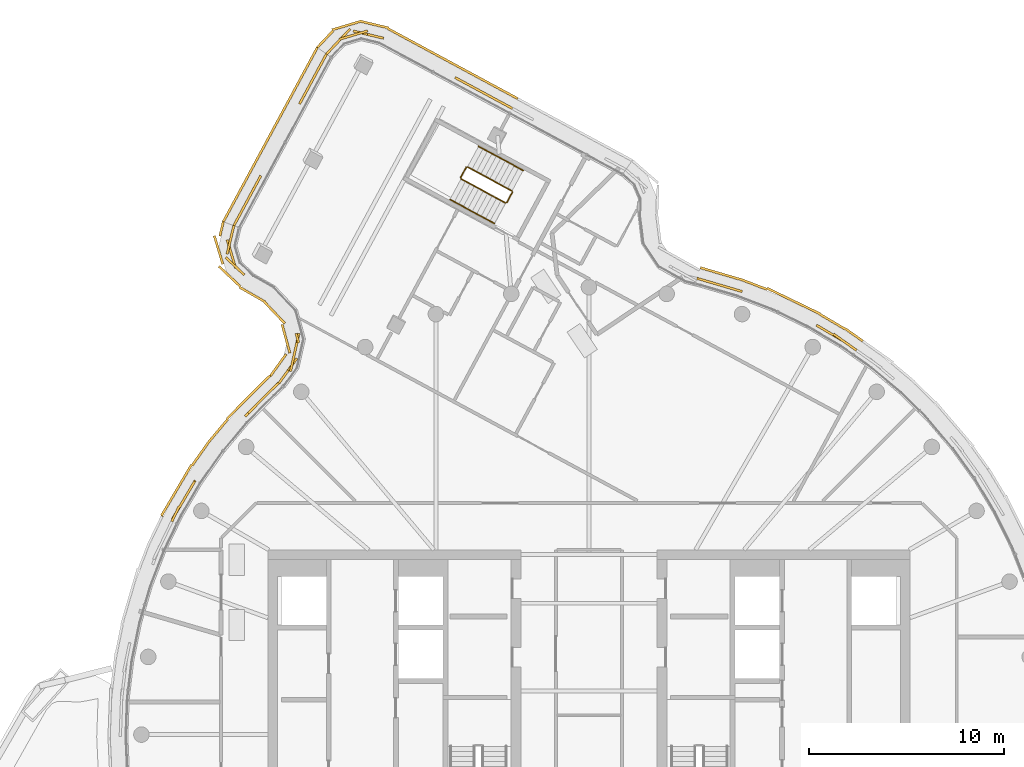
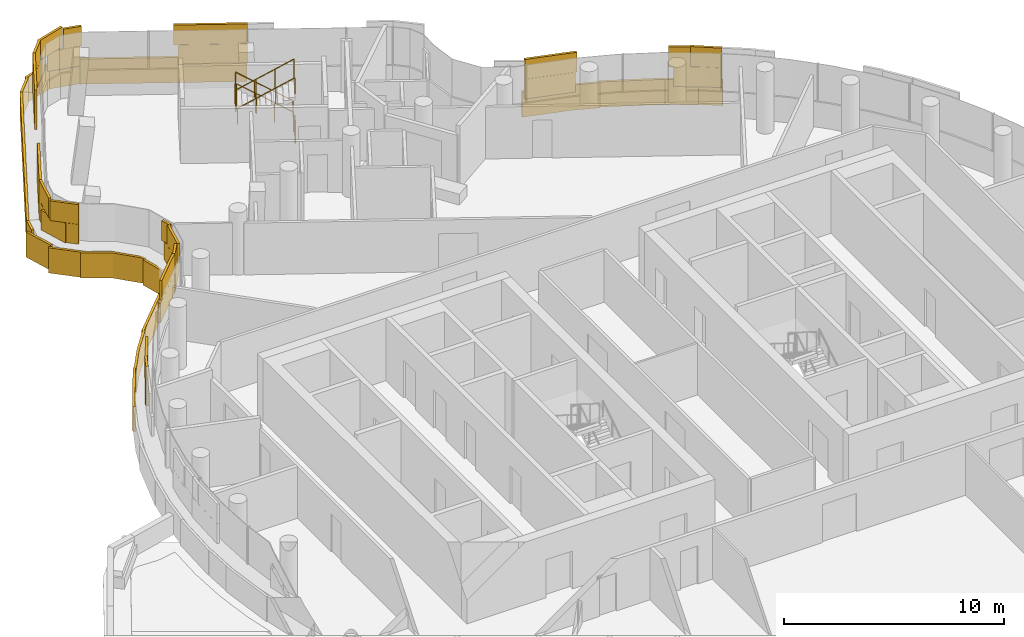
# One storey, part 20 of 22: 6 railings, 5 coverings.
"""IFC4 building model written with IfcOpenShell, lengths in metres."""

from ifc_helpers import new_model, si_unit, direction, frame, origin, origin_2d, place, context, subcontext, project, spatial, rectangle, circle, extrude, material, layer, layer_set, type_object, element, save


model = new_model("IFC4")

# Units and contexts
model_context = context("Model", 3, precision=1e-05, world=origin(), true_north=direction((0.0, 1.0)))
body_context = subcontext(model_context, "Body", "Model", "MODEL_VIEW")
ifc_project = project(units=[si_unit("LENGTHUNIT", "METRE"), si_unit("AREAUNIT", "SQUARE_METRE"), si_unit("VOLUMEUNIT", "CUBIC_METRE"), si_unit("PLANEANGLEUNIT", "RADIAN"), si_unit("MASSUNIT", "GRAM", prefix="KILO")], contexts=[model_context])

# Site, building, storey
site_placement = place(None, origin())
site = spatial("IfcSite", under=ifc_project, at=site_placement, CompositionType="ELEMENT")
building_placement = place(site_placement, origin())
building = spatial("IfcBuilding", under=site, at=building_placement, Name="Tamarind Cross Interchange Tower", CompositionType="ELEMENT")
storey_placement = place(building_placement, frame((0.0, 0.0, 256.800048828125)))
storey = spatial("IfcBuildingStorey", under=building, at=storey_placement, Name="L65", CompositionType="ELEMENT", Elevation=256.800048828125)

# Railings
ifc_material_1 = material(Name="Stair guard")
railing_type_1 = type_object("IfcRailingType", Name="Stair guard", PredefinedType="GUARDRAIL", material=ifc_material_1)
railing_1_placement = place(storey_placement, frame((-3.952880859375, 27.940185546875, 0.16357421875)))
element("IfcRailing", 1, at=railing_1_placement, inside=storey, type_object=railing_type_1, Name="L65 ST4 stair guard 1", PredefinedType="GUARDRAIL", context=body_context, shape_type="SweptSolid", body=[
    extrude(circle(Radius=0.02392578125, at=origin_2d()), frame((0.0, 0.0, 1.076171875), z_axis=(-0.744752850933, 0.402017143926, 0.532658809198), x_axis=(-0.475012240029, -0.879979188289, 0.0)), (0.0, 0.0, 1.0), 3.072265625),
    extrude(circle(Radius=0.02099609375, at=origin_2d()), origin(), (0.0, 0.0, 1.0), 1.052001953125),
    extrude(circle(Radius=0.02099609375, at=origin_2d()), frame((-0.7626953125, 0.41162109375, 0.54541015625)), (0.0, 0.0, 1.0), 1.052001953125),
    extrude(circle(Radius=0.02099609375, at=origin_2d()), frame((-1.525390625, 0.823486328125, 1.091064453125)), (0.0, 0.0, 1.0), 1.052001953125),
    extrude(circle(Radius=0.02099609375, at=origin_2d()), frame((-2.2880859375, 1.235107421875, 1.636474609375)), (0.0, 0.0, 1.0), 1.052001953125),
])
railing_2_placement = place(storey_placement, frame((-6.30859375, 29.155029296875, 1.800048828125)))
element("IfcRailing", 2, at=railing_2_placement, inside=storey, type_object=railing_type_1, Name="L65 ST4 stair guard 2", PredefinedType="GUARDRAIL", context=body_context, shape_type="SweptSolid", body=[
    extrude(circle(Radius=0.02392578125, at=origin_2d()), frame((0.0, 0.0, 1.076171875), z_axis=(-0.475142615556, -0.879908799185, 0.0), x_axis=(0.879908799185, -0.475142615556, 0.0)), (0.0, 0.0, 1.0), 0.60009765625),
    extrude(circle(Radius=0.02099609375, at=origin_2d()), origin(), (0.0, 0.0, 1.0), 1.052001953125),
    extrude(circle(Radius=0.02099609375, at=origin_2d()), frame((-0.28515625, -0.528076171875, 0.0)), (0.0, 0.0, 1.0), 1.052001953125),
])
railing_3_placement = place(storey_placement, frame((-6.573486328125, 28.55908203125, 1.963623046875)))
element("IfcRailing", 3, at=railing_3_placement, inside=storey, type_object=railing_type_1, Name="L65 ST4 stair guard 3", PredefinedType="GUARDRAIL", context=body_context, shape_type="SweptSolid", body=[
    extrude(circle(Radius=0.02392578125, at=origin_2d()), frame((0.0, 0.0, 1.076171875), z_axis=(0.744808168695, -0.401967532785, 0.532618901685), x_axis=(0.474939526709, 0.880018435017, 0.0)), (0.0, 0.0, 1.0), 3.072021484375),
    extrude(circle(Radius=0.02099609375, at=origin_2d()), origin(), (0.0, 0.0, 1.0), 1.052001953125),
    extrude(circle(Radius=0.02099609375, at=origin_2d()), frame((0.7626953125, -0.41162109375, 0.54541015625)), (0.0, 0.0, 1.0), 1.052001953125),
    extrude(circle(Radius=0.02099609375, at=origin_2d()), frame((1.525390625, -0.8232421875, 1.0908203125)), (0.0, 0.0, 1.0), 1.052001953125),
    extrude(circle(Radius=0.02099609375, at=origin_2d()), frame((2.2880859375, -1.23486328125, 1.63623046875)), (0.0, 0.0, 1.0), 1.052001953125),
])
railing_4_placement = place(storey_placement, frame((-3.9326171875, 27.87255859375, 0.0)))
element("IfcRailing", 4, at=railing_4_placement, inside=storey, type_object=railing_type_1, Name="L65 ST4 stair guard 4", PredefinedType="GUARDRAIL", context=body_context, shape_type="SweptSolid", body=[
    extrude(circle(Radius=0.02392578125, at=origin_2d()), frame((0.0, 0.0, 1.076171875), z_axis=(-0.474827563466, -0.880078851566, 0.0), x_axis=(0.880078851566, -0.474827563466, 0.0)), (0.0, 0.0, 1.0), 0.60009765625),
    extrude(circle(Radius=0.02099609375, at=origin_2d()), origin(), (0.0, 0.0, 1.0), 1.052001953125),
    extrude(circle(Radius=0.02099609375, at=origin_2d()), frame((-0.284912109375, -0.528076171875, 0.0)), (0.0, 0.0, 1.0), 1.052001953125),
])
ifc_material_2 = material(Name="Stair handrail")
railing_type_2 = type_object("IfcRailingType", Name="Stair handrail", PredefinedType="HANDRAIL", material=ifc_material_2)
railing_5_placement = place(storey_placement, frame((-3.383056640625, 28.996337890625, 0.16357421875)))
element("IfcRailing", 5, at=railing_5_placement, inside=storey, type_object=railing_type_2, Name="L65 ST4 stair handrail 1", PredefinedType="HANDRAIL", context=body_context, shape_type="SweptSolid", body=[
    extrude(circle(Radius=0.02392578125, at=origin_2d()), frame((0.0, 0.0, 0.8759765625), z_axis=(-0.744741251054, 0.401974308807, 0.532707353091), x_axis=(-0.474978774953, -0.879997251896, 0.0)), (0.0, 0.0, 1.0), 3.072021484375),
    extrude(circle(Radius=0.02099609375, at=origin_2d()), origin(), (0.0, 0.0, 1.0), 0.851806640625),
    extrude(circle(Radius=0.02099609375, at=origin_2d()), frame((-0.7626953125, 0.41162109375, 0.54541015625)), (0.0, 0.0, 1.0), 0.851806640625),
    extrude(circle(Radius=0.02099609375, at=origin_2d()), frame((-1.525146484375, 0.8232421875, 1.091064453125)), (0.0, 0.0, 1.0), 0.851806640625),
    extrude(circle(Radius=0.02099609375, at=origin_2d()), frame((-2.287841796875, 1.23486328125, 1.636474609375)), (0.0, 0.0, 1.0), 0.851806640625),
])
railing_6_placement = place(storey_placement, frame((-7.143310546875, 27.503173828125, 1.963623046875)))
element("IfcRailing", 6, at=railing_6_placement, inside=storey, type_object=railing_type_2, Name="L65 ST4 stair handrail 2", PredefinedType="HANDRAIL", context=body_context, shape_type="SweptSolid", body=[
    extrude(circle(Radius=0.02392578125, at=origin_2d()), frame((0.0, 0.0, 0.8759765625), z_axis=(0.74477277995, -0.401991326538, 0.532650429113), x_axis=(0.474978774953, 0.879997251896, 0.0)), (0.0, 0.0, 1.0), 3.07177734375),
    extrude(circle(Radius=0.02099609375, at=origin_2d()), origin(), (0.0, 0.0, 1.0), 0.851806640625),
    extrude(circle(Radius=0.02099609375, at=origin_2d()), frame((0.7626953125, -0.41162109375, 0.54541015625)), (0.0, 0.0, 1.0), 0.851806640625),
    extrude(circle(Radius=0.02099609375, at=origin_2d()), frame((1.525146484375, -0.8232421875, 1.0908203125)), (0.0, 0.0, 1.0), 0.851806640625),
    extrude(circle(Radius=0.02099609375, at=origin_2d()), frame((2.287841796875, -1.23486328125, 1.63623046875)), (0.0, 0.0, 1.0), 0.851806640625),
])

# Coverings
ifc_material_3 = material(Name="Terracotta", Category="masonry")
ifc_layer = layer(ifc_material_3, 0.1201171875)
ifc_layer_set = layer_set([ifc_layer], Name="Terracotta")
covering_type = type_object("IfcCoveringType", Name="Terracotta baguette screen unit", PredefinedType="MOLDING", material=ifc_layer_set)
covering_1_placement = place(storey_placement, origin())
element("IfcCovering", 7, at=covering_1_placement, inside=storey, type_object=covering_type, Name="SCR-L65-00-00", PredefinedType="MOLDING", context=body_context, shape_type="SweptSolid", body=[
    extrude(rectangle(XDim=0.760009765625, YDim=0.1201171875, at=origin_2d()), frame((-13.66748046875, 34.645751953125, 1.40380859375), z_axis=(0.0, 0.0, 1.0), x_axis=(-0.474960834541, -0.880006935002, 0.0)), (0.0, 0.0, 1.0), 1.092041015625),
    extrude(rectangle(XDim=1.52001953125, YDim=0.1201171875, at=origin_2d()), frame((-14.20166015625, 33.65576171875, 1.40380859375), z_axis=(0.0, 0.0, 1.0), x_axis=(-0.474960834541, -0.880006935002, 0.0)), (0.0, 0.0, 1.0), 1.092041015625),
    extrude(rectangle(XDim=0.671875, YDim=0.1201171875, at=origin_2d()), frame((-14.715087890625, 32.70458984375, 1.40380859375), z_axis=(0.0, 0.0, 1.0), x_axis=(-0.474960834541, -0.880006935002, 0.0)), (0.0, 0.0, 1.0), 1.092041015625),
    extrude(rectangle(XDim=1.148193359375, YDim=0.1201171875, at=origin_2d()), frame((-17.137451171875, 28.216552734375, 1.40380859375), z_axis=(0.0, 0.0, 1.0), x_axis=(-0.474960834541, -0.880006935002, 0.0)), (0.0, 0.0, 1.0), 1.092041015625),
    extrude(rectangle(XDim=1.52001953125, YDim=0.1201171875, at=origin_2d()), frame((-17.763916015625, 27.0556640625, 1.40380859375), z_axis=(0.0, 0.0, 1.0), x_axis=(-0.474960834541, -0.880006935002, 0.0)), (0.0, 0.0, 1.0), 1.092041015625),
    extrude(rectangle(XDim=0.28369140625, YDim=0.1201171875, at=origin_2d()), frame((-18.18505859375, 26.275146484375, 1.40380859375), z_axis=(0.0, 0.0, 1.0), x_axis=(-0.474960834541, -0.880006935002, 0.0)), (0.0, 0.0, 1.0), 1.092041015625),
    extrude(rectangle(XDim=1.510009765625, YDim=0.1201171875, at=origin_2d()), frame((-13.845458984375, 34.315673828125, 2.50390625), z_axis=(0.0, 0.0, 1.0), x_axis=(-0.474960834541, -0.880006935002, 0.0)), (0.0, 0.0, 1.0), 1.092041015625),
    extrude(rectangle(XDim=1.421875, YDim=0.1201171875, at=origin_2d()), frame((-14.537109375, 33.034423828125, 2.50390625), z_axis=(0.0, 0.0, 1.0), x_axis=(-0.474960834541, -0.880006935002, 0.0)), (0.0, 0.0, 1.0), 1.092041015625),
    extrude(rectangle(XDim=0.398193359375, YDim=0.1201171875, at=origin_2d()), frame((-16.959228515625, 28.54638671875, 2.50390625), z_axis=(0.0, 0.0, 1.0), x_axis=(-0.474960834541, -0.880006935002, 0.0)), (0.0, 0.0, 1.0), 1.092041015625),
    extrude(rectangle(XDim=1.52001953125, YDim=0.1201171875, at=origin_2d()), frame((-17.40771484375, 27.715576171875, 2.50390625), z_axis=(0.0, 0.0, 1.0), x_axis=(-0.474960834541, -0.880006935002, 0.0)), (0.0, 0.0, 1.0), 1.092041015625),
    extrude(rectangle(XDim=1.03369140625, YDim=0.1201171875, at=origin_2d()), frame((-18.007080078125, 26.605224609375, 2.50390625), z_axis=(0.0, 0.0, 1.0), x_axis=(-0.474960834541, -0.880006935002, 0.0)), (0.0, 0.0, 1.0), 1.092041015625),
    extrude(rectangle(XDim=0.760009765625, YDim=0.1201171875, at=origin_2d()), frame((-14.138916015625, 34.98046875, 0.00390625), z_axis=(0.0, 0.0, 1.0), x_axis=(-0.474960834541, -0.880006935002, 0.0)), (0.0, 0.0, 1.0), 1.39208984375),
    extrude(rectangle(XDim=1.52001953125, YDim=0.1201171875, at=origin_2d()), frame((-14.6708984375, 33.994873046875, 0.00390625), z_axis=(0.0, 0.0, 1.0), x_axis=(-0.474960834541, -0.880006935002, 0.0)), (0.0, 0.0, 1.0), 1.39208984375),
    extrude(rectangle(XDim=1.52001953125, YDim=0.1201171875, at=origin_2d()), frame((-15.38330078125, 32.6748046875, 0.00390625), z_axis=(0.0, 0.0, 1.0), x_axis=(-0.474960834541, -0.880006935002, 0.0)), (0.0, 0.0, 1.0), 1.39208984375),
    extrude(rectangle(XDim=1.52001953125, YDim=0.1201171875, at=origin_2d()), frame((-16.095947265625, 31.354736328125, 0.00390625), z_axis=(0.0, 0.0, 1.0), x_axis=(-0.474960834541, -0.880006935002, 0.0)), (0.0, 0.0, 1.0), 1.39208984375),
    extrude(rectangle(XDim=1.52001953125, YDim=0.1201171875, at=origin_2d()), frame((-16.808349609375, 30.034912109375, 0.00390625), z_axis=(0.0, 0.0, 1.0), x_axis=(-0.474960834541, -0.880006935002, 0.0)), (0.0, 0.0, 1.0), 1.39208984375),
    extrude(rectangle(XDim=1.52001953125, YDim=0.1201171875, at=origin_2d()), frame((-17.520751953125, 28.71484375, 0.00390625), z_axis=(0.0, 0.0, 1.0), x_axis=(-0.474960834541, -0.880006935002, 0.0)), (0.0, 0.0, 1.0), 1.39208984375),
    extrude(rectangle(XDim=1.52001953125, YDim=0.1201171875, at=origin_2d()), frame((-18.233154296875, 27.394775390625, 0.00390625), z_axis=(0.0, 0.0, 1.0), x_axis=(-0.474960834541, -0.880006935002, 0.0)), (0.0, 0.0, 1.0), 1.39208984375),
    extrude(rectangle(XDim=0.434814453125, YDim=0.1201171875, at=origin_2d()), frame((-18.68798828125, 26.55224609375, 0.00390625), z_axis=(0.0, 0.0, 1.0), x_axis=(-0.474960834541, -0.880006935002, 0.0)), (0.0, 0.0, 1.0), 1.39208984375),
])
covering_2_placement = place(storey_placement, origin())
element("IfcCovering", 8, at=covering_2_placement, inside=storey, type_object=covering_type, Name="SCR-L65-01-00", PredefinedType="MOLDING", context=body_context, shape_type="SweptSolid", body=[
    extrude(rectangle(XDim=0.760009765625, YDim=0.1201171875, at=origin_2d()), frame((-18.336669921875, 25.7900390625, 1.40380859375), z_axis=(0.0, 0.0, 1.0), x_axis=(-0.231014381958, -0.972950335489, 0.0)), (0.0, 0.0, 1.0), 1.092041015625),
    extrude(rectangle(XDim=1.52001953125, YDim=0.1201171875, at=origin_2d()), frame((-18.374755859375, 24.70166015625, 1.40380859375), z_axis=(0.0, 0.0, 1.0), x_axis=(0.286410844329, -0.958106898133, 0.0)), (0.0, 0.0, 1.0), 1.092041015625),
    extrude(rectangle(XDim=0.570556640625, YDim=0.1201171875, at=origin_2d()), frame((-17.914306640625, 23.816650390625, 1.40380859375), z_axis=(0.0, 0.0, 1.0), x_axis=(0.727092516175, -0.68653949116, 0.0)), (0.0, 0.0, 1.0), 1.092041015625),
    extrude(rectangle(XDim=1.24951171875, YDim=0.1201171875, at=origin_2d()), frame((-15.039794921875, 20.00830078125, 1.40380859375), z_axis=(0.0, 0.0, 1.0), x_axis=(-0.21774452886, -0.976005799241, 0.0)), (0.0, 0.0, 1.0), 1.092041015625),
    extrude(rectangle(XDim=1.52001953125, YDim=0.1201171875, at=origin_2d()), frame((-15.45361328125, 18.723388671875, 1.40380859375), z_axis=(0.0, 0.0, 1.0), x_axis=(-0.585160605195, -0.810917422508, 0.0)), (0.0, 0.0, 1.0), 1.092041015625),
    extrude(rectangle(XDim=0.081298828125, YDim=0.1201171875, at=origin_2d()), frame((-15.92041015625, 18.092529296875, 1.40380859375), z_axis=(0.0, 0.0, 1.0), x_axis=(-0.727249737755, -0.686372944495, 0.0)), (0.0, 0.0, 1.0), 1.092041015625),
    extrude(rectangle(XDim=1.510009765625, YDim=0.1201171875, at=origin_2d()), frame((-18.42333984375, 25.425048828125, 2.50390625), z_axis=(0.0, 0.0, 1.0), x_axis=(-0.231014381958, -0.972950335489, 0.0)), (0.0, 0.0, 1.0), 1.092041015625),
    extrude(rectangle(XDim=1.320556640625, YDim=0.1201171875, at=origin_2d()), frame((-18.186767578125, 24.073974609375, 2.50390625), z_axis=(0.0, 0.0, 1.0), x_axis=(0.727092516175, -0.68653949116, 0.0)), (0.0, 0.0, 1.0), 1.092041015625),
    extrude(rectangle(XDim=0.49951171875, YDim=0.1201171875, at=origin_2d()), frame((-14.982421875, 20.373779296875, 2.50390625), z_axis=(0.0, 0.0, 1.0), x_axis=(0.26334133213, -0.964702722496, 0.0)), (0.0, 0.0, 1.0), 1.092041015625),
    extrude(rectangle(XDim=1.52001953125, YDim=0.1201171875, at=origin_2d()), frame((-15.174560546875, 19.403564453125, 2.50390625), z_axis=(0.0, 0.0, 1.0), x_axis=(-0.21774452886, -0.976005799241, 0.0)), (0.0, 0.0, 1.0), 1.092041015625),
    extrude(rectangle(XDim=0.831298828125, YDim=0.1201171875, at=origin_2d()), frame((-15.69384765625, 18.390380859375, 2.50390625), z_axis=(0.0, 0.0, 1.0), x_axis=(-0.585160605195, -0.810917422508, 0.0)), (0.0, 0.0, 1.0), 1.092041015625),
    extrude(rectangle(XDim=0.760009765625, YDim=0.1201171875, at=origin_2d()), frame((-18.87890625, 25.9912109375, 0.00390625), z_axis=(0.0, 0.0, 1.0), x_axis=(-0.231014381958, -0.972950335489, 0.0)), (0.0, 0.0, 1.0), 1.39208984375),
    extrude(rectangle(XDim=1.52001953125, YDim=0.1201171875, at=origin_2d()), frame((-19.034423828125, 24.904541015625, 0.00390625), z_axis=(0.0, 0.0, 1.0), x_axis=(0.286410844329, -0.958106898133, 0.0)), (0.0, 0.0, 1.0), 1.39208984375),
    extrude(rectangle(XDim=1.52001953125, YDim=0.1201171875, at=origin_2d()), frame((-18.468994140625, 23.551025390625, 0.00390625), z_axis=(0.0, 0.0, 1.0), x_axis=(0.727092516175, -0.68653949116, 0.0)), (0.0, 0.0, 1.0), 1.39208984375),
    extrude(rectangle(XDim=1.52001953125, YDim=0.1201171875, at=origin_2d()), frame((-17.3056640625, 22.619384765625, 0.00390625), z_axis=(0.0, 0.0, 1.0), x_axis=(0.868183111742, -0.496243976776, 0.0)), (0.0, 0.0, 1.0), 1.39208984375),
    extrude(rectangle(XDim=1.52001953125, YDim=0.1201171875, at=origin_2d()), frame((-16.1533203125, 21.68408203125, 0.00390625), z_axis=(0.0, 0.0, 1.0), x_axis=(0.688090694974, -0.725624693275, 0.0)), (0.0, 0.0, 1.0), 1.39208984375),
    extrude(rectangle(XDim=1.52001953125, YDim=0.1201171875, at=origin_2d()), frame((-15.569091796875, 20.343505859375, 0.00390625), z_axis=(0.0, 0.0, 1.0), x_axis=(0.26334133213, -0.964702722496, 0.0)), (0.0, 0.0, 1.0), 1.39208984375),
    extrude(rectangle(XDim=1.37060546875, YDim=0.1201171875, at=origin_2d()), frame((-15.963623046875, 18.997802734375, 0.00390625), z_axis=(0.0, 0.0, 1.0), x_axis=(-0.585160605195, -0.810917422508, 0.0)), (0.0, 0.0, 1.0), 1.39208984375),
])
covering_3_placement = place(storey_placement, origin())
element("IfcCovering", 9, at=covering_3_placement, inside=storey, type_object=covering_type, Name="SCR-L65-01-01", PredefinedType="MOLDING", context=body_context, shape_type="SweptSolid", body=[
    extrude(rectangle(XDim=1.438720703125, YDim=0.1201171875, at=origin_2d()), frame((-16.46337890625, 17.575439453125, 1.40380859375), z_axis=(0.0, 0.0, 1.0), x_axis=(-0.704057148523, -0.710143317658, 0.0)), (0.0, 0.0, 1.0), 1.092041015625),
    extrude(rectangle(XDim=0.997314453125, YDim=0.1201171875, at=origin_2d()), frame((-17.31396484375, 16.717529296875, 1.40380859375), z_axis=(0.0, 0.0, 1.0), x_axis=(-0.704057148523, -0.710143317658, 0.0)), (0.0, 0.0, 1.0), 1.092041015625),
    extrude(rectangle(XDim=0.82275390625, YDim=0.1201171875, at=origin_2d()), frame((-20.44482421875, 12.706787109375, 1.40380859375), z_axis=(0.0, 0.0, 1.0), x_axis=(-0.508183308752, -0.861248933065, 0.0)), (0.0, 0.0, 1.0), 1.092041015625),
    extrude(rectangle(XDim=1.52001953125, YDim=0.1201171875, at=origin_2d()), frame((-21.032470703125, 11.710693359375, 1.40380859375), z_axis=(0.0, 0.0, 1.0), x_axis=(-0.508183308752, -0.861248933065, 0.0)), (0.0, 0.0, 1.0), 1.092041015625),
    extrude(rectangle(XDim=0.11328125, YDim=0.1201171875, at=origin_2d()), frame((-21.41015625, 11.00439453125, 1.40380859375), z_axis=(0.0, 0.0, 1.0), x_axis=(-0.435326231914, -0.900272776334, 0.0)), (0.0, 0.0, 1.0), 1.092041015625),
    extrude(rectangle(XDim=0.688720703125, YDim=0.1201171875, at=origin_2d()), frame((-16.193115234375, 17.835205078125, 2.50390625), z_axis=(0.0, 0.0, 1.0), x_axis=(-0.727249737755, -0.686372944495, 0.0)), (0.0, 0.0, 1.0), 1.092041015625),
    extrude(rectangle(XDim=1.52001953125, YDim=0.1201171875, at=origin_2d()), frame((-16.96630859375, 17.068115234375, 2.50390625), z_axis=(0.0, 0.0, 1.0), x_axis=(-0.704057148523, -0.710143317658, 0.0)), (0.0, 0.0, 1.0), 1.092041015625),
    extrude(rectangle(XDim=1.52001953125, YDim=0.1201171875, at=origin_2d()), frame((-20.6513671875, 12.356689453125, 2.50390625), z_axis=(0.0, 0.0, 1.0), x_axis=(-0.508183308752, -0.861248933065, 0.0)), (0.0, 0.0, 1.0), 1.092041015625),
    extrude(rectangle(XDim=0.86328125, YDim=0.1201171875, at=origin_2d()), frame((-21.246826171875, 11.342041015625, 2.50390625), z_axis=(0.0, 0.0, 1.0), x_axis=(-0.435326231914, -0.900272776334, 0.0)), (0.0, 0.0, 1.0), 1.092041015625),
    extrude(rectangle(XDim=0.1494140625, YDim=0.1201171875, at=origin_2d()), frame((-16.43017578125, 18.400634765625, 0.00390625), z_axis=(0.0, 0.0, 1.0), x_axis=(-0.727249737755, -0.686372944495, 0.0)), (0.0, 0.0, 1.0), 1.39208984375),
    extrude(rectangle(XDim=1.52001953125, YDim=0.1201171875, at=origin_2d()), frame((-17.015380859375, 17.833984375, 0.00390625), z_axis=(0.0, 0.0, 1.0), x_axis=(-0.704057148523, -0.710143317658, 0.0)), (0.0, 0.0, 1.0), 1.39208984375),
    extrude(rectangle(XDim=1.52001953125, YDim=0.1201171875, at=origin_2d()), frame((-18.0712890625, 16.768798828125, 0.00390625), z_axis=(0.0, 0.0, 1.0), x_axis=(-0.704057148523, -0.710143317658, 0.0)), (0.0, 0.0, 1.0), 1.39208984375),
    extrude(rectangle(XDim=1.52001953125, YDim=0.1201171875, at=origin_2d()), frame((-19.04833984375, 15.63134765625, 0.00390625), z_axis=(0.0, 0.0, 1.0), x_axis=(-0.643009266048, -0.765858396687, 0.0)), (0.0, 0.0, 1.0), 1.39208984375),
    extrude(rectangle(XDim=1.52001953125, YDim=0.1201171875, at=origin_2d()), frame((-19.96337890625, 14.4443359375, 0.00390625), z_axis=(0.0, 0.0, 1.0), x_axis=(-0.577568978284, -0.816341886298, 0.0)), (0.0, 0.0, 1.0), 1.39208984375),
    extrude(rectangle(XDim=1.52001953125, YDim=0.1201171875, at=origin_2d()), frame((-20.814453125, 13.2099609375, 0.00390625), z_axis=(0.0, 0.0, 1.0), x_axis=(-0.508183308752, -0.861248933065, 0.0)), (0.0, 0.0, 1.0), 1.39208984375),
    extrude(rectangle(XDim=1.52001953125, YDim=0.1201171875, at=origin_2d()), frame((-21.57666015625, 11.91796875, 0.00390625), z_axis=(0.0, 0.0, 1.0), x_axis=(-0.508183308752, -0.861248933065, 0.0)), (0.0, 0.0, 1.0), 1.39208984375),
    extrude(rectangle(XDim=0.050048828125, YDim=0.1201171875, at=origin_2d()), frame((-21.932861328125, 11.24169921875, 0.00390625), z_axis=(0.0, 0.0, 1.0), x_axis=(-0.435326231914, -0.900272776334, 0.0)), (0.0, 0.0, 1.0), 1.39208984375),
])
covering_4_placement = place(storey_placement, origin())
element("IfcCovering", 10, at=covering_4_placement, inside=storey, type_object=covering_type, Name="SCR-L65-01-14", PredefinedType="MOLDING", context=body_context, shape_type="SweptSolid", body=[
    extrude(rectangle(XDim=0.69091796875, YDim=0.1201171875, at=origin_2d()), frame((13.46484375, 19.953125, 1.40380859375), z_axis=(0.0, 0.0, 1.0), x_axis=(-0.816341886298, 0.577568978284, 0.0)), (0.0, 0.0, 1.0), 1.092041015625),
    extrude(rectangle(XDim=1.52001953125, YDim=0.1201171875, at=origin_2d()), frame((12.546630859375, 20.539306640625, 1.40380859375), z_axis=(0.0, 0.0, 1.0), x_axis=(-0.861248933065, 0.508183308752, 0.0)), (0.0, 0.0, 1.0), 1.092041015625),
    extrude(rectangle(XDim=1.52001953125, YDim=0.1201171875, at=origin_2d()), frame((7.09375, 22.998779296875, 1.40380859375), z_axis=(0.0, 0.0, 1.0), x_axis=(-0.95964657186, 0.281208920763, 0.0)), (0.0, 0.0, 1.0), 1.092041015625),
    extrude(rectangle(XDim=0.865478515625, YDim=0.1201171875, at=origin_2d()), frame((5.963623046875, 23.329833984375, 1.40380859375), z_axis=(0.0, 0.0, 1.0), x_axis=(-0.95964657186, 0.281208920763, 0.0)), (0.0, 0.0, 1.0), 1.092041015625),
    extrude(rectangle(XDim=1.44091796875, YDim=0.1201171875, at=origin_2d()), frame((13.15869140625, 20.169677734375, 2.50390625), z_axis=(0.0, 0.0, 1.0), x_axis=(-0.816341886298, 0.577568978284, 0.0)), (0.0, 0.0, 1.0), 1.092041015625),
    extrude(rectangle(XDim=0.997314453125, YDim=0.1201171875, at=origin_2d()), frame((12.121337890625, 20.790283203125, 2.50390625), z_axis=(0.0, 0.0, 1.0), x_axis=(-0.861248933065, 0.508183308752, 0.0)), (0.0, 0.0, 1.0), 1.092041015625),
    extrude(rectangle(XDim=0.82275390625, YDim=0.1201171875, at=origin_2d()), frame((7.483642578125, 22.884521484375, 2.50390625), z_axis=(0.0, 0.0, 1.0), x_axis=(-0.95964657186, 0.281208920763, 0.0)), (0.0, 0.0, 1.0), 1.092041015625),
    extrude(rectangle(XDim=1.52001953125, YDim=0.1201171875, at=origin_2d()), frame((6.3740234375, 23.209716796875, 2.50390625), z_axis=(0.0, 0.0, 1.0), x_axis=(-0.95964657186, 0.281208920763, 0.0)), (0.0, 0.0, 1.0), 1.092041015625),
    extrude(rectangle(XDim=0.115478515625, YDim=0.1201171875, at=origin_2d()), frame((5.60107421875, 23.426025390625, 2.50390625), z_axis=(0.0, 0.0, 1.0), x_axis=(-0.971012492079, 0.239028743514, 0.0)), (0.0, 0.0, 1.0), 1.092041015625),
    extrude(rectangle(XDim=1.12548828125, YDim=0.1201171875, at=origin_2d()), frame((13.611328125, 20.552734375, 0.00390625), z_axis=(0.0, 0.0, 1.0), x_axis=(-0.816341886298, 0.577568978284, 0.0)), (0.0, 0.0, 1.0), 1.39208984375),
    extrude(rectangle(XDim=1.52001953125, YDim=0.1201171875, at=origin_2d()), frame((12.5009765625, 21.232666015625, 0.00390625), z_axis=(0.0, 0.0, 1.0), x_axis=(-0.861248933065, 0.508183308752, 0.0)), (0.0, 0.0, 1.0), 1.39208984375),
    extrude(rectangle(XDim=1.52001953125, YDim=0.1201171875, at=origin_2d()), frame((11.189453125, 21.958251953125, 0.00390625), z_axis=(0.0, 0.0, 1.0), x_axis=(-0.900272776334, 0.435326231914, 0.0)), (0.0, 0.0, 1.0), 1.39208984375),
    extrude(rectangle(XDim=1.52001953125, YDim=0.1201171875, at=origin_2d()), frame((9.839111328125, 22.611328125, 0.00390625), z_axis=(0.0, 0.0, 1.0), x_axis=(-0.900272776334, 0.435326231914, 0.0)), (0.0, 0.0, 1.0), 1.39208984375),
    extrude(rectangle(XDim=1.52001953125, YDim=0.1201171875, at=origin_2d()), frame((8.4404296875, 23.153076171875, 0.00390625), z_axis=(0.0, 0.0, 1.0), x_axis=(-0.933146843667, 0.359495435512, 0.0)), (0.0, 0.0, 1.0), 1.39208984375),
    extrude(rectangle(XDim=1.52001953125, YDim=0.1201171875, at=origin_2d()), frame((7.01611328125, 23.61962890625, 0.00390625), z_axis=(0.0, 0.0, 1.0), x_axis=(-0.95964657186, 0.281208920763, 0.0)), (0.0, 0.0, 1.0), 1.39208984375),
    extrude(rectangle(XDim=0.605712890625, YDim=0.1201171875, at=origin_2d()), frame((6.015380859375, 23.912841796875, 0.00390625), z_axis=(0.0, 0.0, 1.0), x_axis=(-0.95964657186, 0.281208920763, 0.0)), (0.0, 0.0, 1.0), 1.39208984375),
])
covering_5_placement = place(storey_placement, origin())
element("IfcCovering", 11, at=covering_5_placement, inside=storey, type_object=covering_type, Name="SCR-L65-02-01", PredefinedType="MOLDING", context=body_context, shape_type="SweptSolid", body=[
    extrude(rectangle(XDim=0.13330078125, YDim=0.1201171875, at=origin_2d()), frame((-3.99072265625, 32.210693359375, 1.40380859375), z_axis=(0.0, 0.0, 1.0), x_axis=(-0.880006935002, 0.474960834541, 0.0)), (0.0, 0.0, 1.0), 1.092041015625),
    extrude(rectangle(XDim=1.52001953125, YDim=0.1201171875, at=origin_2d()), frame((-4.705078125, 32.59619140625, 1.40380859375), z_axis=(0.0, 0.0, 1.0), x_axis=(-0.880006935002, 0.474960834541, 0.0)), (0.0, 0.0, 1.0), 1.092041015625),
    extrude(rectangle(XDim=1.52001953125, YDim=0.1201171875, at=origin_2d()), frame((-6.025146484375, 33.30859375, 1.40380859375), z_axis=(0.0, 0.0, 1.0), x_axis=(-0.880006935002, 0.474960834541, 0.0)), (0.0, 0.0, 1.0), 1.092041015625),
    extrude(rectangle(XDim=1.52001953125, YDim=0.1201171875, at=origin_2d()), frame((-11.371826171875, 35.9833984375, 1.40380859375), z_axis=(0.0, 0.0, 1.0), x_axis=(-0.972950335489, 0.231014381958, 0.0)), (0.0, 0.0, 1.0), 1.092041015625),
    extrude(rectangle(XDim=1.52001953125, YDim=0.1201171875, at=origin_2d()), frame((-12.797119140625, 35.708740234375, 1.40380859375), z_axis=(0.0, 0.0, 1.0), x_axis=(-0.68653949116, -0.727092516175, 0.0)), (0.0, 0.0, 1.0), 1.092041015625),
    extrude(rectangle(XDim=0.268310546875, YDim=0.1201171875, at=origin_2d()), frame((-13.400634765625, 35.069580078125, 1.40380859375), z_axis=(0.0, 0.0, 1.0), x_axis=(-0.68653949116, -0.727092516175, 0.0)), (0.0, 0.0, 1.0), 1.092041015625),
    extrude(rectangle(XDim=0.88330078125, YDim=0.1201171875, at=origin_2d()), frame((-4.32080078125, 32.388916015625, 2.50390625), z_axis=(0.0, 0.0, 1.0), x_axis=(-0.880006935002, 0.474960834541, 0.0)), (0.0, 0.0, 1.0), 1.092041015625),
    extrude(rectangle(XDim=1.52001953125, YDim=0.1201171875, at=origin_2d()), frame((-5.364990234375, 32.952392578125, 2.50390625), z_axis=(0.0, 0.0, 1.0), x_axis=(-0.880006935002, 0.474960834541, 0.0)), (0.0, 0.0, 1.0), 1.092041015625),
    extrude(rectangle(XDim=0.9775390625, YDim=0.1201171875, at=origin_2d()), frame((-6.45068359375, 33.538330078125, 2.50390625), z_axis=(0.0, 0.0, 1.0), x_axis=(-0.880006935002, 0.474960834541, 0.0)), (0.0, 0.0, 1.0), 1.092041015625),
    extrude(rectangle(XDim=0.842529296875, YDim=0.1201171875, at=origin_2d()), frame((-10.966796875, 35.88720703125, 2.50390625), z_axis=(0.0, 0.0, 1.0), x_axis=(-0.972950335489, 0.231014381958, 0.0)), (0.0, 0.0, 1.0), 1.092041015625),
    extrude(rectangle(XDim=1.52001953125, YDim=0.1201171875, at=origin_2d()), frame((-12.095703125, 35.951416015625, 2.50390625), z_axis=(0.0, 0.0, 1.0), x_axis=(-0.958106898133, -0.286410844329, 0.0)), (0.0, 0.0, 1.0), 1.092041015625),
    extrude(rectangle(XDim=1.018310546875, YDim=0.1201171875, at=origin_2d()), frame((-13.14306640625, 35.34228515625, 2.50390625), z_axis=(0.0, 0.0, 1.0), x_axis=(-0.68653949116, -0.727092516175, 0.0)), (0.0, 0.0, 1.0), 1.092041015625),
    extrude(rectangle(XDim=0.068359375, YDim=0.1201171875, at=origin_2d()), frame((-3.694580078125, 32.703125, 0.00390625), z_axis=(0.0, 0.0, 1.0), x_axis=(-0.880006935002, 0.474960834541, 0.0)), (0.0, 0.0, 1.0), 1.39208984375),
    extrude(rectangle(XDim=1.52001953125, YDim=0.1201171875, at=origin_2d()), frame((-4.375732421875, 33.07080078125, 0.00390625), z_axis=(0.0, 0.0, 1.0), x_axis=(-0.880006935002, 0.474960834541, 0.0)), (0.0, 0.0, 1.0), 1.39208984375),
    extrude(rectangle(XDim=1.52001953125, YDim=0.1201171875, at=origin_2d()), frame((-5.69580078125, 33.783203125, 0.00390625), z_axis=(0.0, 0.0, 1.0), x_axis=(-0.880006935002, 0.474960834541, 0.0)), (0.0, 0.0, 1.0), 1.39208984375),
    extrude(rectangle(XDim=1.52001953125, YDim=0.1201171875, at=origin_2d()), frame((-7.015869140625, 34.49560546875, 0.00390625), z_axis=(0.0, 0.0, 1.0), x_axis=(-0.880006935002, 0.474960834541, 0.0)), (0.0, 0.0, 1.0), 1.39208984375),
    extrude(rectangle(XDim=1.52001953125, YDim=0.1201171875, at=origin_2d()), frame((-8.3359375, 35.2080078125, 0.00390625), z_axis=(0.0, 0.0, 1.0), x_axis=(-0.880006935002, 0.474960834541, 0.0)), (0.0, 0.0, 1.0), 1.39208984375),
    extrude(rectangle(XDim=1.52001953125, YDim=0.1201171875, at=origin_2d()), frame((-9.65576171875, 35.92041015625, 0.00390625), z_axis=(0.0, 0.0, 1.0), x_axis=(-0.880006935002, 0.474960834541, 0.0)), (0.0, 0.0, 1.0), 1.39208984375),
    extrude(rectangle(XDim=1.52001953125, YDim=0.1201171875, at=origin_2d()), frame((-11.029541015625, 36.491943359375, 0.00390625), z_axis=(0.0, 0.0, 1.0), x_axis=(-0.972950335489, 0.231014381958, 0.0)), (0.0, 0.0, 1.0), 1.39208984375),
    extrude(rectangle(XDim=1.52001953125, YDim=0.1201171875, at=origin_2d()), frame((-12.4775390625, 36.436279296875, 0.00390625), z_axis=(0.0, 0.0, 1.0), x_axis=(-0.958106898133, -0.286410844329, 0.0)), (0.0, 0.0, 1.0), 1.39208984375),
    extrude(rectangle(XDim=1.17431640625, YDim=0.1201171875, at=origin_2d()), frame((-13.555419921875, 35.74169921875, 0.00390625), z_axis=(0.0, 0.0, 1.0), x_axis=(-0.68653949116, -0.727092516175, 0.0)), (0.0, 0.0, 1.0), 1.39208984375),
])

save(model, "model.ifc")
